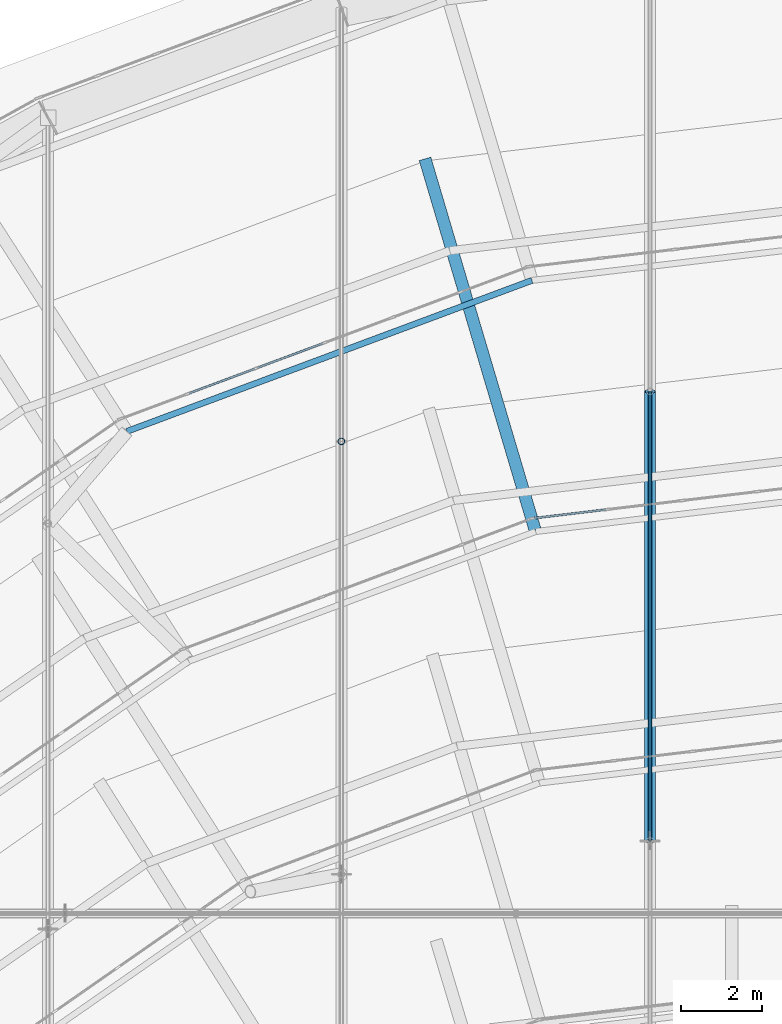
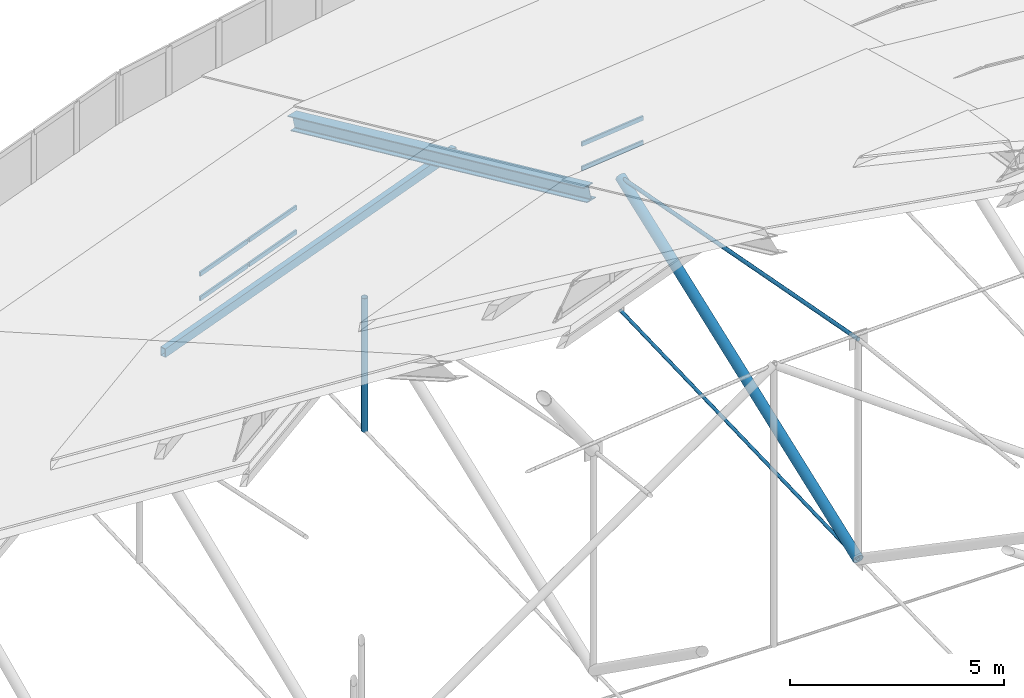
# One storey, part 109 of 173: 12 members, 2 elements without a shape of their own.
"""IFC4 building model written with IfcOpenShell, lengths in metres."""

from ifc_helpers import new_model, si_unit, direction, frame, origin, origin_2d, place, context, subcontext, project, spatial, rectangle, hollow_rectangle, circle, hollow_circle, i_section, extrude, material, material_profile, profile_set, type_object, element, aggregate, save


model = new_model("IFC4")

# Units and contexts
model_context = context("Model", 3, precision=1e-05, world=origin(), true_north=direction((0.0, 1.0)))
body_context = subcontext(model_context, "Body", "Model", "MODEL_VIEW")
ifc_project = project(units=[si_unit("LENGTHUNIT", "METRE"), si_unit("AREAUNIT", "SQUARE_METRE"), si_unit("VOLUMEUNIT", "CUBIC_METRE"), si_unit("PLANEANGLEUNIT", "RADIAN"), si_unit("MASSUNIT", "GRAM", prefix="KILO")], contexts=[model_context])

# Site, building, storey
site_placement = place(None, origin())
site = spatial("IfcSite", under=ifc_project, at=site_placement, CompositionType="ELEMENT")
building_placement = place(site_placement, origin())
building = spatial("IfcBuilding", under=site, at=building_placement, Name="Glasvene Arena", CompositionType="ELEMENT")
storey_placement = place(building_placement, frame((0.0, 0.0, 28.800048828125)))
storey = spatial("IfcBuildingStorey", under=building, at=storey_placement, Name="RF", CompositionType="ELEMENT", Elevation=28.800048828125)

# Curtain wall, members
ifc_material_1 = material(Name="Low-emissivity laminated double glazing", Category="glass")
curtain_wall_type_1 = type_object("IfcCurtainWallType", Name="CW-PET1-1077x75", PredefinedType="USERDEFINED", material=ifc_material_1)
curtain_wall_1_placement = place(storey_placement, frame((81.16845703125, 109.415283203125, 0.0)))
curtain_wall_1 = element("IfcCurtainWall", 1, at=curtain_wall_1_placement, inside=storey, type_object=curtain_wall_type_1, Name="Petal ring 1-2 clerestory curtain wall 08", ObjectType="CURTAIN WALL", PredefinedType="USERDEFINED")
ifc_material_2 = material(Name="Anodised architectural aluminium", Category="aluminium")
ifc_material_profile_1 = material_profile(ifc_material_2, rectangle(XDim=0.050048828125, YDim=0.1201171875, at=origin_2d()), Name="ALU TRANSOM 50x120")
ifc_profile_set_1 = profile_set([ifc_material_profile_1], Name="Anodised architectural aluminium")
member_type_1 = type_object("IfcMemberType", Name="CW-TRN-120", PredefinedType="USERDEFINED", material=ifc_profile_set_1)
member_1_placement = place(storey_placement, frame((76.098388671875, 107.523681640625, 2.60498046875), z_axis=(-0.936885499629, -0.349636326179, 0.0), x_axis=(0.349636326179, -0.936885499629, 0.0)))
member_1 = element("IfcMember", 2, at=member_1_placement, type_object=member_type_1, Name="CW-085 transom 4.1", ObjectType="TRANSOM", PredefinedType="USERDEFINED", context=body_context, shape_type="SweptSolid", body=[
    extrude(rectangle(XDim=0.050048828125, YDim=0.1201171875, at=origin_2d()), origin(), (0.0, 0.0, 1.0), 1.74560546875),
])
member_2_placement = place(storey_placement, frame((76.098388671875, 107.523681640625, 3.304931640625), z_axis=(-0.936885499629, -0.349636326179, 0.0), x_axis=(0.349636326179, -0.936885499629, 0.0)))
member_2 = element("IfcMember", 3, at=member_2_placement, type_object=member_type_1, Name="CW-085 transom 4.2", ObjectType="TRANSOM", PredefinedType="USERDEFINED", context=body_context, shape_type="SweptSolid", body=[
    extrude(rectangle(XDim=0.050048828125, YDim=0.1201171875, at=origin_2d()), origin(), (0.0, 0.0, 1.0), 1.74560546875),
])
member_3_placement = place(storey_placement, frame((74.416015625, 106.895751953125, 2.60498046875), z_axis=(-0.936914217078, -0.349559365255, 0.0), x_axis=(0.349559365255, -0.936914217078, 0.0)))
member_3 = element("IfcMember", 4, at=member_3_placement, type_object=member_type_1, Name="CW-085 transom 5.1", ObjectType="TRANSOM", PredefinedType="USERDEFINED", context=body_context, shape_type="SweptSolid", body=[
    extrude(rectangle(XDim=0.050048828125, YDim=0.1201171875, at=origin_2d()), origin(), (0.0, 0.0, 1.0), 1.745361328125),
])
member_4_placement = place(storey_placement, frame((74.416015625, 106.895751953125, 3.304931640625), z_axis=(-0.936914217078, -0.349559365255, 0.0), x_axis=(0.349559365255, -0.936914217078, 0.0)))
member_4 = element("IfcMember", 5, at=member_4_placement, type_object=member_type_1, Name="CW-085 transom 5.2", ObjectType="TRANSOM", PredefinedType="USERDEFINED", context=body_context, shape_type="SweptSolid", body=[
    extrude(rectangle(XDim=0.050048828125, YDim=0.1201171875, at=origin_2d()), origin(), (0.0, 0.0, 1.0), 1.745361328125),
])
aggregate(curtain_wall_1, [member_1, member_2, member_3, member_4])

curtain_wall_type_2 = type_object("IfcCurtainWallType", Name="CW-PET2-936x75", PredefinedType="USERDEFINED", material=ifc_material_1)
curtain_wall_2_placement = place(storey_placement, frame((90.550048828125, 104.300048828125, 0.0)))
curtain_wall_2 = element("IfcCurtainWall", 6, at=curtain_wall_2_placement, inside=storey, type_object=curtain_wall_type_2, Name="Petal ring 2-3 clerestory curtain wall 07", ObjectType="CURTAIN WALL", PredefinedType="USERDEFINED")
member_5_placement = place(storey_placement, frame((83.091796875, 103.41259765625, 5.204833984375), z_axis=(-0.992984475092, -0.118244797883, 0.0), x_axis=(0.118244797883, -0.992984475092, 0.0)))
member_5 = element("IfcMember", 7, at=member_5_placement, type_object=member_type_1, Name="CW-092 transom 5.1", ObjectType="TRANSOM", PredefinedType="USERDEFINED", context=body_context, shape_type="SweptSolid", body=[
    extrude(rectangle(XDim=0.050048828125, YDim=0.1201171875, at=origin_2d()), origin(), (0.0, 0.0, 1.0), 1.79638671875),
])
member_6_placement = place(storey_placement, frame((83.091796875, 103.41259765625, 5.905029296875), z_axis=(-0.992984475092, -0.118244797883, 0.0), x_axis=(0.118244797883, -0.992984475092, 0.0)))
member_6 = element("IfcMember", 8, at=member_6_placement, type_object=member_type_1, Name="CW-092 transom 5.2", ObjectType="TRANSOM", PredefinedType="USERDEFINED", context=body_context, shape_type="SweptSolid", body=[
    extrude(rectangle(XDim=0.050048828125, YDim=0.1201171875, at=origin_2d()), origin(), (0.0, 0.0, 1.0), 1.79638671875),
])
aggregate(curtain_wall_2, [member_5, member_6])

# Members
ifc_material_3 = material(Name="High-strength steel spiral strand S460", Category="steel")
ifc_material_profile_2 = material_profile(ifc_material_3, circle(Radius=0.052490234375, at=origin_2d()), Name="LCSS D105")
ifc_profile_set_2 = profile_set([ifc_material_profile_2], Name="High-strength steel spiral strand S460")
member_type_2 = type_object("IfcMemberType", Name="MB-CABLE-105", PredefinedType="USERDEFINED", material=ifc_profile_set_2)
member_7_placement = place(storey_placement, frame((84.17822265625, 95.222900390625, 4.1669921875), z_axis=(0.0, 0.982509343257, -0.186213292794), x_axis=(-1.0, 0.0, 0.0)))
element("IfcMember", 9, at=member_7_placement, inside=storey, type_object=member_type_2, Name="Upper lens roof cable NS06-07", ObjectType="ROOF CABLE", PredefinedType="USERDEFINED", context=body_context, shape_type="SweptSolid", body=[
    extrude(circle(Radius=0.052490234375, at=origin_2d()), origin(), (0.0, 0.0, 1.0), 11.309326171875),
])
ifc_material_profile_3 = material_profile(ifc_material_3, circle(Radius=0.044921875, at=origin_2d()), Name="LCSS D90")
ifc_profile_set_3 = profile_set([ifc_material_profile_3], Name="High-strength steel spiral strand S460")
member_type_3 = type_object("IfcMemberType", Name="MB-CABLE-90", PredefinedType="USERDEFINED", material=ifc_profile_set_3)
member_8_placement = place(storey_placement, frame((84.17822265625, 95.222900390625, -2.112548828125), z_axis=(0.0, 0.999477394294, 0.032325505337), x_axis=(-1.0, 0.0, 0.0)))
element("IfcMember", 10, at=member_8_placement, inside=storey, type_object=member_type_3, Name="Lower stabilization roof cable NS06-07", ObjectType="ROOF CABLE", PredefinedType="USERDEFINED", context=body_context, shape_type="SweptSolid", body=[
    extrude(circle(Radius=0.044921875, at=origin_2d()), origin(), (0.0, 0.0, 1.0), 11.117431640625),
])
ifc_material_4 = material(Name="Steel S355J2", Category="steel")
ifc_material_profile_4 = material_profile(ifc_material_4, i_section(OverallWidth=0.300048828125, OverallDepth=0.39990234375, WebThickness=0.013427734375, FlangeThickness=0.02392578125, FilletRadius=0.027099609375, at=origin_2d()), Name="HEB 400")
ifc_profile_set_4 = profile_set([ifc_material_profile_4], Name="Steel S355J2")
member_type_4 = type_object("IfcMemberType", Name="MB-CHORD-HEB400", PredefinedType="CHORD", material=ifc_profile_set_4)
member_9_placement = place(storey_placement, frame((78.63134765625, 112.032470703125, 2.14990234375), z_axis=(0.274770384297, -0.926301022448, 0.257813210922), x_axis=(0.958710442156, 0.284384050364, 0.0)))
element("IfcMember", 11, at=member_9_placement, inside=storey, type_object=member_type_4, Name="Petal ring 2 radial rib 08", PredefinedType="CHORD", context=body_context, shape_type="SweptSolid", body=[
    extrude(i_section(OverallWidth=0.300048828125, OverallDepth=0.39990234375, WebThickness=0.013427734375, FlangeThickness=0.02392578125, FilletRadius=0.027099609375, at=origin_2d()), origin(), (0.0, 0.0, 1.0), 9.89111328125),
])
ifc_material_profile_5 = material_profile(ifc_material_4, hollow_rectangle(XDim=0.14990234375, YDim=0.25, WallThickness=0.010009765625, at=origin_2d()), Name="RHS 250x150x10.0")
ifc_profile_set_5 = profile_set([ifc_material_profile_5], Name="Steel S355J2")
member_type_5 = type_object("IfcMemberType", Name="MB-PURLIN-RHS250", PredefinedType="PURLIN", material=ifc_profile_set_5)
member_10_placement = place(storey_placement, frame((81.259033203125, 109.077392578125, 2.181884765625), z_axis=(-0.937010256553, -0.349301845279, 0.0), x_axis=(0.349301845279, -0.937010256553, 0.0)))
element("IfcMember", 12, at=member_10_placement, inside=storey, type_object=member_type_5, Name="Petal ring 1 ridge purlin 08", PredefinedType="PURLIN", context=body_context, shape_type="SweptSolid", body=[
    extrude(hollow_rectangle(XDim=0.14990234375, YDim=0.25, WallThickness=0.010009765625, at=origin_2d()), origin(), (0.0, 0.0, 1.0), 10.681884765625),
])
ifc_material_profile_6 = material_profile(ifc_material_4, hollow_circle(Radius=0.084228515625, WallThickness=0.008056640625, at=origin_2d()), Name="CHS 168.3x8.0")
ifc_profile_set_6 = profile_set([ifc_material_profile_6], Name="Steel S355J2")
member_type_6 = type_object("IfcMemberType", Name="MB-WEB-CHS168", PredefinedType="BRACE", material=ifc_profile_set_6)
member_11_placement = place(storey_placement, frame((76.54931640625, 105.09814453125, -1.753173828125), z_axis=(0.0, 0.0, 1.0), x_axis=(1.0, 0.0, 0.0)))
element("IfcMember", 13, at=member_11_placement, inside=storey, type_object=member_type_6, Name="Cable-truss vertical strut NS07-07", PredefinedType="BRACE", context=body_context, shape_type="SweptSolid", body=[
    extrude(hollow_circle(Radius=0.084228515625, WallThickness=0.008056640625, at=origin_2d()), origin(), (0.0, 0.0, 1.0), 3.814208984375),
])
ifc_material_profile_7 = material_profile(ifc_material_4, hollow_circle(Radius=0.136474609375, WallThickness=0.012451171875, at=origin_2d()), Name="CHS 273.0x12.5")
ifc_profile_set_7 = profile_set([ifc_material_profile_7], Name="Steel S355J2")
member_type_7 = type_object("IfcMemberType", Name="MB-WEB-CHS273", PredefinedType="BRACE", material=ifc_profile_set_7)
member_12_placement = place(storey_placement, frame((84.17822265625, 95.222900390625, -2.112548828125), z_axis=(0.0, 0.936142236374, 0.351621548367), x_axis=(-1.0, 0.0, 0.0)))
element("IfcMember", 14, at=member_12_placement, inside=storey, type_object=member_type_7, Name="Cable-truss diagonal web strut NS06-07", PredefinedType="BRACE", context=body_context, shape_type="SweptSolid", body=[
    extrude(hollow_circle(Radius=0.136474609375, WallThickness=0.012451171875, at=origin_2d()), origin(), (0.0, 0.0, 1.0), 11.86962890625),
])

save(model, "model.ifc")
